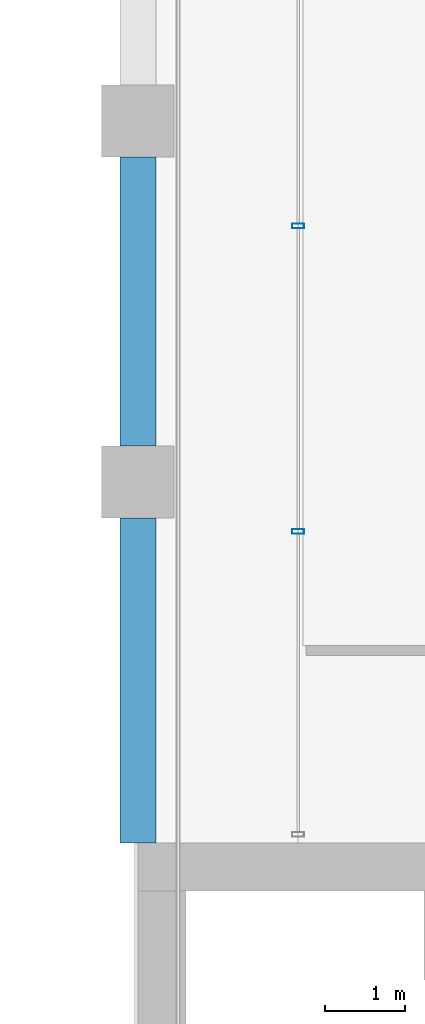
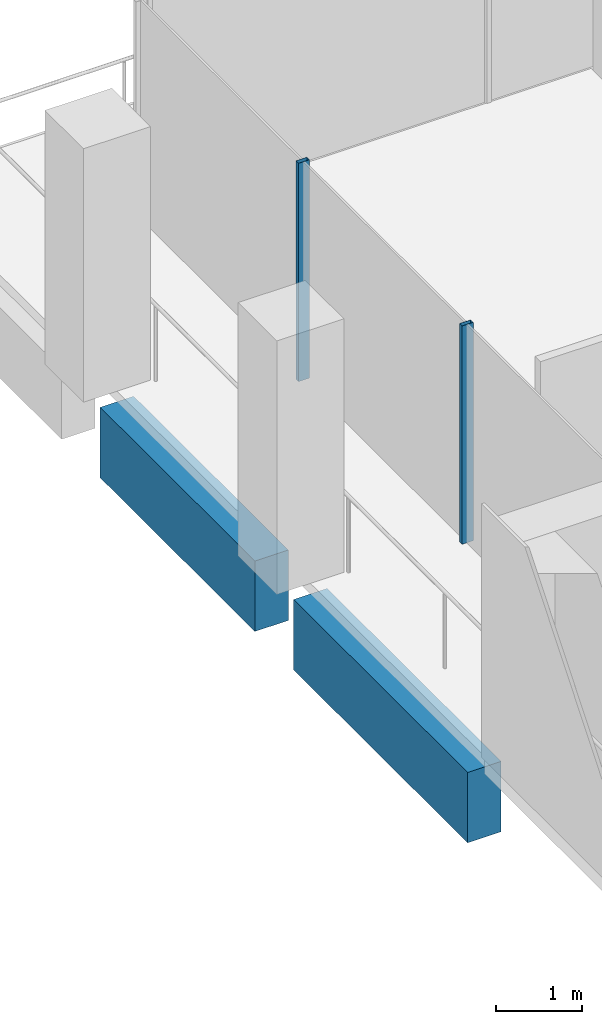
# One storey, part 20 of 40: 2 beams, 2 members, 1 element without a shape of its own.
"""IFC4 building model written with IfcOpenShell, lengths in metres."""

from ifc_helpers import new_model, si_unit, direction, frame, origin, origin_2d, place, context, subcontext, project, spatial, rectangle, hollow_rectangle, extrude, material, material_profile, profile_set, type_object, element, aggregate, save


model = new_model("IFC4")

# Units and contexts
model_context = context("Model", 3, precision=1e-05, world=origin(), true_north=direction((0.0, 1.0)))
body_context = subcontext(model_context, "Body", "Model", "MODEL_VIEW")
ifc_project = project(units=[si_unit("LENGTHUNIT", "METRE"), si_unit("AREAUNIT", "SQUARE_METRE"), si_unit("VOLUMEUNIT", "CUBIC_METRE"), si_unit("PLANEANGLEUNIT", "RADIAN"), si_unit("MASSUNIT", "GRAM", prefix="KILO")], contexts=[model_context])

# Site, building, storey
site_placement = place(None, origin())
site = spatial("IfcSite", under=ifc_project, at=site_placement, CompositionType="ELEMENT")
building_placement = place(site_placement, origin())
building = spatial("IfcBuilding", under=site, at=building_placement, Name="Altepetl Exchange Towers", CompositionType="ELEMENT")
storey_placement = place(building_placement, frame((0.0, 0.0, 151.0)))
storey = spatial("IfcBuildingStorey", under=building, at=storey_placement, Name="L37", CompositionType="ELEMENT", Elevation=151.0)

# Curtain wall, members
ifc_material_1 = material(Name="Aluminium 6063-T6 glazing", Category="aluminium")
curtain_wall_type = type_object("IfcCurtainWallType", Name="Loggia glazing system", PredefinedType="NOTDEFINED", material=ifc_material_1)
curtain_wall_placement = place(storey_placement, origin())
curtain_wall = element("IfcCurtainWall", 1, at=curtain_wall_placement, inside=storey, type_object=curtain_wall_type, Name="CW1 run", PredefinedType="NOTDEFINED")
ifc_material_2 = material(Name="Aluminium 6063-T6", Category="aluminium")
ifc_material_profile_1 = material_profile(ifc_material_2, hollow_rectangle(XDim=0.06005859375, YDim=0.14990234375, WallThickness=0.0029296875, at=origin_2d()), Name="Mullion 60x150 aluminium")
ifc_profile_set_1 = profile_set([ifc_material_profile_1], Name="Aluminium 6063-T6")
member_type = type_object("IfcMemberType", Name="Mullion 60x150 aluminium", PredefinedType="MULLION", material=ifc_profile_set_1)
member_1_placement = place(storey_placement, frame((42.5, 66.191650390625, 0.0), z_axis=(0.0, 0.0, 1.0), x_axis=(0.0, -1.0, 0.0)))
member_1 = element("IfcMember", 2, at=member_1_placement, type_object=member_type, Name="MU1 mullion", PredefinedType="MULLION", context=body_context, shape_type="SweptSolid", body=[
    extrude(hollow_rectangle(XDim=0.06005859375, YDim=0.14990234375, WallThickness=0.0029296875, at=origin_2d()), origin(), (0.0, 0.0, 1.0), 3.10009765625),
])
member_2_placement = place(storey_placement, frame((42.5, 62.38330078125, 0.0), z_axis=(0.0, 0.0, 1.0), x_axis=(0.0, -1.0, 0.0)))
member_2 = element("IfcMember", 3, at=member_2_placement, type_object=member_type, Name="MU1 mullion", PredefinedType="MULLION", context=body_context, shape_type="SweptSolid", body=[
    extrude(hollow_rectangle(XDim=0.06005859375, YDim=0.14990234375, WallThickness=0.0029296875, at=origin_2d()), origin(), (0.0, 0.0, 1.0), 3.10009765625),
])
aggregate(curtain_wall, [member_1, member_2])

# Beams
ifc_material_3 = material(Name="Concrete C50/60 precast with tezontle facing", Category="concrete")
ifc_material_profile_2 = material_profile(ifc_material_3, rectangle(XDim=0.449951171875, YDim=1.0, at=origin_2d()), Name="450 x 1000")
ifc_profile_set_2 = profile_set([ifc_material_profile_2], Name="Concrete C50/60 precast with tezontle facing")
beam_type = type_object("IfcBeamType", Name="Spandrel beam 450x1000 tezontle", PredefinedType="SPANDREL", material=ifc_profile_set_2)
beam_1_placement = place(storey_placement, frame((40.5, 67.050048828125, -0.64990234375), z_axis=(0.0, -1.0, 0.0), x_axis=(1.0, 0.0, 0.0)))
element("IfcBeam", 4, at=beam_1_placement, inside=storey, type_object=beam_type, Name="sp:A:L37:031", PredefinedType="SPANDREL", context=body_context, shape_type="SweptSolid", body=[
    extrude(rectangle(XDim=0.449951171875, YDim=1.0, at=origin_2d()), origin(), (0.0, 0.0, 1.0), 3.60009765625),
])
beam_2_placement = place(storey_placement, frame((40.5, 62.550048828125, -0.64990234375), z_axis=(0.0, -1.0, 0.0), x_axis=(1.0, 0.0, 0.0)))
element("IfcBeam", 5, at=beam_2_placement, inside=storey, type_object=beam_type, Name="sp:A:L37:032", PredefinedType="SPANDREL", context=body_context, shape_type="SweptSolid", body=[
    extrude(rectangle(XDim=0.449951171875, YDim=1.0, at=origin_2d()), origin(), (0.0, 0.0, 1.0), 4.050048828125),
])

save(model, "model.ifc")
